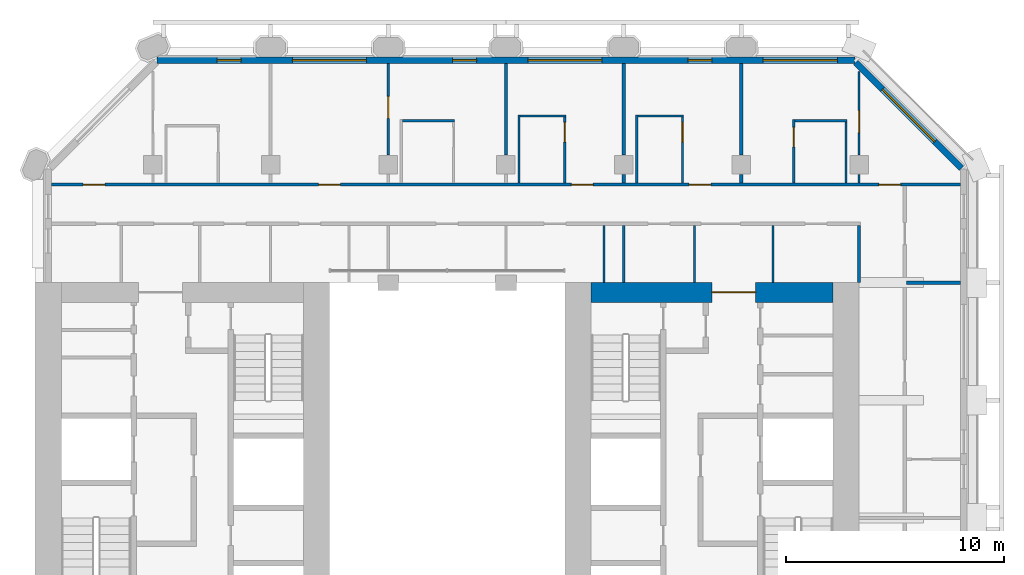
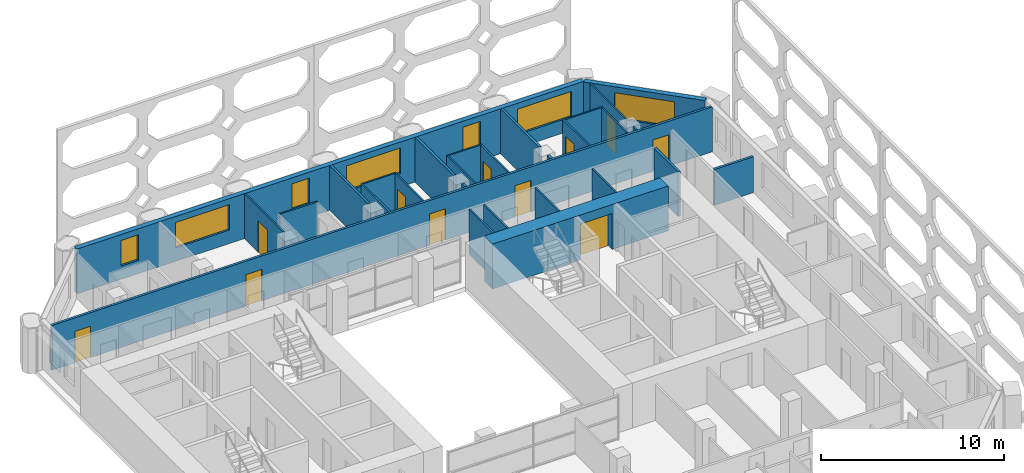
# One storey, part 10 of 14: 28 walls, 11 doors, 7 windows, 18 openings.
"""IFC4 building model written with IfcOpenShell, lengths in metres."""

from ifc_helpers import new_model, si_unit, direction, frame, frame_2d, origin, place, context, subcontext, project, spatial, rectangle, extrude, material, layer, layer_set, type_object, element, fill, save


model = new_model("IFC4")

# Units and contexts
model_context = context("Model", 3, precision=1e-05, world=origin(), true_north=direction((0.0, 1.0)))
body_context = subcontext(model_context, "Body", "Model", "MODEL_VIEW")
ifc_project = project(units=[si_unit("LENGTHUNIT", "METRE"), si_unit("AREAUNIT", "SQUARE_METRE"), si_unit("VOLUMEUNIT", "CUBIC_METRE"), si_unit("PLANEANGLEUNIT", "RADIAN"), si_unit("MASSUNIT", "GRAM", prefix="KILO")], contexts=[model_context])

# Site, building, storey
site_placement = place(None, origin())
site = spatial("IfcSite", under=ifc_project, at=site_placement, CompositionType="ELEMENT")
building_placement = place(site_placement, origin())
building = spatial("IfcBuilding", under=site, at=building_placement, Name="Tabaq Tower and Sports Hall", CompositionType="ELEMENT")
storey_placement = place(building_placement, frame((0.0, 0.0, 166.0)))
storey = spatial("IfcBuildingStorey", under=building, at=storey_placement, Name="L39", CompositionType="ELEMENT", Elevation=166.0)

# Wall, opening, door
ifc_material_1 = material(Name="Concrete C50/60", Category="concrete")
ifc_layer_1 = layer(ifc_material_1, 0.89990234375)
ifc_layer_set_1 = layer_set([ifc_layer_1], Name="Core wall 900 Concrete C50/60")
wall_type_1 = type_object("IfcWallType", Name="Core wall 900 Concrete C50/60", PredefinedType="SOLIDWALL", material=ifc_layer_set_1)
wall_1_placement = place(storey_placement, frame((30.89990234375, 31.949951171875, 0.0), z_axis=(0.0, 0.0, 1.0), x_axis=(1.0, 0.0, 0.0)))
wall_1 = element("IfcWall", 1, at=wall_1_placement, inside=storey, type_object=wall_type_1, Name="Core wall E L39", PredefinedType="SOLIDWALL", context=body_context, shape_type="SweptSolid", body=[
    extrude(rectangle(XDim=11.10009765625, YDim=0.89990234375, at=frame_2d((5.550048828125, 0.0))), origin(), (0.0, 0.0, 1.0), 3.0),
])
opening_1_placement = place(wall_1_placement, frame((5.550048828125, 0.0, 0.0)))
opening_1 = element("IfcOpeningElement", 2, at=opening_1_placement, cuts=wall_1, Name="Opening PD-EL39-02", PredefinedType="OPENING", context=body_context, shape_type="SweptSolid", body=[
    extrude(rectangle(XDim=2.0, YDim=2.39990234375, at=frame_2d((1.0, 1.199951171875))), frame((0.0, 0.449951171875, 0.0), z_axis=(0.0, -1.0, 0.0), x_axis=(1.0, 0.0, 0.0)), (0.0, 0.0, 1.0), 0.89990234375),
])
ifc_material_2 = material(Name="Steel fire door", Category="steel")
door_type_1 = type_object("IfcDoorType", Name="Core entrance door 2000", OperationType="DOUBLE_DOOR_SINGLE_SWING", PredefinedType="DOOR", material=ifc_material_2)
door_1_placement = place(opening_1_placement, origin())
door_1 = element("IfcDoor", 3, at=door_1_placement, inside=storey, type_object=door_type_1, Name="Core entrance north E L39", OperationType="DOUBLE_DOOR_SINGLE_SWING", OverallHeight=2.39990234375, OverallWidth=2.0, PredefinedType="DOOR", context=body_context, shape_type="SweptSolid", body=[
    extrude(rectangle(XDim=2.0, YDim=2.39990234375, at=frame_2d((1.0, 1.199951171875))), frame((0.0, 0.02490234375, 0.0), z_axis=(0.0, -1.0, 0.0), x_axis=(1.0, 0.0, 0.0)), (0.0, 0.0, 1.0), 0.050048828125),
])
fill(opening_1, door_1)

ifc_material_3 = material(Name="Gypsum board on steel studs", Category="steel")
ifc_layer_2 = layer(ifc_material_3, 0.10009765625)
ifc_layer_set_2 = layer_set([ifc_layer_2], Name="Partition 100 Gypsum board")
wall_type_2 = type_object("IfcWallType", Name="Partition 100 Gypsum board", PredefinedType="PARTITIONING", material=ifc_layer_set_2)
wall_2_placement = place(storey_placement, frame((21.60009765625, 42.448974609375, 0.0), z_axis=(0.0, 0.0, 1.0), x_axis=(0.0, -1.0, 0.0)))
wall_2 = element("IfcWall", 4, at=wall_2_placement, inside=storey, type_object=wall_type_2, Name="Partition wall L39", PredefinedType="PARTITIONING", context=body_context, shape_type="SweptSolid", body=[
    extrude(rectangle(XDim=4.203857421875, YDim=0.10009765625, at=frame_2d((2.10205078125, 0.0))), origin(), (0.0, 0.0, 1.0), 3.0),
])
opening_2_placement = place(wall_2_placement, frame((1.507080078125, 0.0, 0.0)))
opening_2 = element("IfcOpeningElement", 5, at=opening_2_placement, cuts=wall_2, Name="Opening L39-030", PredefinedType="OPENING", context=body_context, shape_type="SweptSolid", body=[
    extrude(rectangle(XDim=1.0, YDim=2.10009765625, at=frame_2d((0.5, 1.050048828125))), frame((0.0, 0.050048828125, 0.0), z_axis=(0.0, -1.0, 0.0), x_axis=(1.0, 0.0, 0.0)), (0.0, 0.0, 1.0), 0.10009765625),
])
ifc_material_4 = material(Name="Timber leaf in steel frame", Category="steel")
door_type_2 = type_object("IfcDoorType", Name="Internal door 1000 right hand", OperationType="SINGLE_SWING_RIGHT", PredefinedType="DOOR", material=ifc_material_4)
door_2_placement = place(opening_2_placement, origin())
door_2 = element("IfcDoor", 6, at=door_2_placement, inside=storey, type_object=door_type_2, Name="Internal door L39-030", OperationType="SINGLE_SWING_RIGHT", OverallHeight=2.10009765625, OverallWidth=1.0, PredefinedType="DOOR", context=body_context, shape_type="SweptSolid", body=[
    extrude(rectangle(XDim=1.0, YDim=2.10009765625, at=frame_2d((0.5, 1.050048828125))), frame((0.0, 0.02490234375, 0.0), z_axis=(0.0, -1.0, 0.0), x_axis=(1.0, 0.0, 0.0)), (0.0, 0.0, 1.0), 0.050048828125),
])
fill(opening_2, door_2)

# Walls
wall_3_placement = place(storey_placement, frame((22.25, 39.824951171875, 0.0), z_axis=(0.0, 0.0, 1.0), x_axis=(1.0, 0.0, 0.0)))
element("IfcWall", 7, at=wall_3_placement, inside=storey, type_object=wall_type_2, Name="Partition wall L39", PredefinedType="PARTITIONING", context=body_context, shape_type="SweptSolid", body=[
    extrude(rectangle(XDim=2.39990234375, YDim=0.10009765625, at=frame_2d((1.199951171875, 0.0))), origin(), (0.0, 0.0, 1.0), 3.0),
])
wall_4_placement = place(storey_placement, frame((27.60009765625, 36.97509765625, 0.0), z_axis=(0.0, 0.0, 1.0), x_axis=(0.0, 1.0, 0.0)))
element("IfcWall", 8, at=wall_4_placement, inside=storey, type_object=wall_type_2, Name="Partition wall L39", PredefinedType="PARTITIONING", context=body_context, shape_type="SweptSolid", body=[
    extrude(rectangle(XDim=3.125, YDim=0.10009765625, at=frame_2d((1.5625, 0.0))), origin(), (0.0, 0.0, 1.0), 3.0),
])
wall_5_placement = place(storey_placement, frame((27.64990234375, 40.050048828125, 0.0), z_axis=(0.0, 0.0, 1.0), x_axis=(1.0, 0.0, 0.0)))
element("IfcWall", 9, at=wall_5_placement, inside=storey, type_object=wall_type_2, Name="Partition wall L39", PredefinedType="PARTITIONING", context=body_context, shape_type="SweptSolid", body=[
    extrude(rectangle(XDim=2.10009765625, YDim=0.10009765625, at=frame_2d((1.050048828125, 0.0))), origin(), (0.0, 0.0, 1.0), 3.0),
])

# Wall, opening, door
wall_6_placement = place(storey_placement, frame((29.699951171875, 40.0, 0.0), z_axis=(0.0, 0.0, 1.0), x_axis=(0.0, -1.0, 0.0)))
wall_6 = element("IfcWall", 10, at=wall_6_placement, inside=storey, type_object=wall_type_2, Name="Partition wall L39", PredefinedType="PARTITIONING", context=body_context, shape_type="SweptSolid", body=[
    extrude(rectangle(XDim=3.02490234375, YDim=0.10009765625, at=frame_2d((1.512451171875, 0.0))), origin(), (0.0, 0.0, 1.0), 3.0),
])
opening_3_placement = place(wall_6_placement, frame((0.25, 0.0, 0.0)))
opening_3 = element("IfcOpeningElement", 11, at=opening_3_placement, cuts=wall_6, Name="Opening L39-004", PredefinedType="OPENING", context=body_context, shape_type="SweptSolid", body=[
    extrude(rectangle(XDim=0.89990234375, YDim=2.10009765625, at=frame_2d((0.449951171875, 1.050048828125))), frame((0.0, 0.050048828125, 0.0), z_axis=(0.0, -1.0, 0.0), x_axis=(1.0, 0.0, 0.0)), (0.0, 0.0, 1.0), 0.10009765625),
])
ifc_material_5 = material(Name="Timber leaf in steel frame", Category="steel")
door_type_3 = type_object("IfcDoorType", Name="Internal door 900 left hand", OperationType="SINGLE_SWING_LEFT", PredefinedType="DOOR", material=ifc_material_5)
door_3_placement = place(opening_3_placement, origin())
door_3 = element("IfcDoor", 12, at=door_3_placement, inside=storey, type_object=door_type_3, Name="Internal door L39-004", OperationType="SINGLE_SWING_LEFT", OverallHeight=2.10009765625, OverallWidth=0.89990234375, PredefinedType="DOOR", context=body_context, shape_type="SweptSolid", body=[
    extrude(rectangle(XDim=0.89990234375, YDim=2.10009765625, at=frame_2d((0.449951171875, 1.050048828125))), frame((0.0, 0.02490234375, 0.0), z_axis=(0.0, -1.0, 0.0), x_axis=(1.0, 0.0, 0.0)), (0.0, 0.0, 1.0), 0.050048828125),
])
fill(opening_3, door_3)

# Walls
wall_7_placement = place(storey_placement, frame((33.0, 36.97509765625, 0.0), z_axis=(0.0, 0.0, 1.0), x_axis=(0.0, 1.0, 0.0)))
element("IfcWall", 13, at=wall_7_placement, inside=storey, type_object=wall_type_2, Name="Partition wall L39", PredefinedType="PARTITIONING", context=body_context, shape_type="SweptSolid", body=[
    extrude(rectangle(XDim=3.125, YDim=0.10009765625, at=frame_2d((1.5625, 0.0))), origin(), (0.0, 0.0, 1.0), 3.0),
])
wall_8_placement = place(storey_placement, frame((33.050048828125, 40.050048828125, 0.0), z_axis=(0.0, 0.0, 1.0), x_axis=(1.0, 0.0, 0.0)))
element("IfcWall", 14, at=wall_8_placement, inside=storey, type_object=wall_type_2, Name="Partition wall L39", PredefinedType="PARTITIONING", context=body_context, shape_type="SweptSolid", body=[
    extrude(rectangle(XDim=2.099853515625, YDim=0.10009765625, at=frame_2d((1.0498046875, 0.0))), origin(), (0.0, 0.0, 1.0), 3.0),
])

# Wall, opening, door
wall_9_placement = place(storey_placement, frame((35.10009765625, 40.0, 0.0), z_axis=(0.0, 0.0, 1.0), x_axis=(0.0, -1.0, 0.0)))
wall_9 = element("IfcWall", 15, at=wall_9_placement, inside=storey, type_object=wall_type_2, Name="Partition wall L39", PredefinedType="PARTITIONING", context=body_context, shape_type="SweptSolid", body=[
    extrude(rectangle(XDim=3.02490234375, YDim=0.10009765625, at=frame_2d((1.512451171875, 0.0))), origin(), (0.0, 0.0, 1.0), 3.0),
])
opening_4_placement = place(wall_9_placement, frame((0.25, 0.0, 0.0)))
opening_4 = element("IfcOpeningElement", 16, at=opening_4_placement, cuts=wall_9, Name="Opening L39-005", PredefinedType="OPENING", context=body_context, shape_type="SweptSolid", body=[
    extrude(rectangle(XDim=0.89990234375, YDim=2.10009765625, at=frame_2d((0.449951171875, 1.050048828125))), frame((0.0, 0.050048828125, 0.0), z_axis=(0.0, -1.0, 0.0), x_axis=(1.0, 0.0, 0.0)), (0.0, 0.0, 1.0), 0.10009765625),
])
door_4_placement = place(opening_4_placement, origin())
door_4 = element("IfcDoor", 17, at=door_4_placement, inside=storey, type_object=door_type_3, Name="Internal door L39-005", OperationType="SINGLE_SWING_LEFT", OverallHeight=2.10009765625, OverallWidth=0.89990234375, PredefinedType="DOOR", context=body_context, shape_type="SweptSolid", body=[
    extrude(rectangle(XDim=0.89990234375, YDim=2.10009765625, at=frame_2d((0.449951171875, 1.050048828125))), frame((0.0, 0.02490234375, 0.0), z_axis=(0.0, -1.0, 0.0), x_axis=(1.0, 0.0, 0.0)), (0.0, 0.0, 1.0), 0.050048828125),
])
fill(opening_4, door_4)

wall_10_placement = place(storey_placement, frame((40.199951171875, 36.97509765625, 0.0), z_axis=(0.0, 0.0, 1.0), x_axis=(0.0, 1.0, 0.0)))
wall_10 = element("IfcWall", 18, at=wall_10_placement, inside=storey, type_object=wall_type_2, Name="Partition wall L39", PredefinedType="PARTITIONING", context=body_context, shape_type="SweptSolid", body=[
    extrude(rectangle(XDim=2.89990234375, YDim=0.10009765625, at=frame_2d((1.449951171875, 0.0))), origin(), (0.0, 0.0, 1.0), 3.0),
])
opening_5_placement = place(wall_10_placement, frame((1.64990234375, 0.0, 0.0)))
opening_5 = element("IfcOpeningElement", 19, at=opening_5_placement, cuts=wall_10, Name="Opening L39-006", PredefinedType="OPENING", context=body_context, shape_type="SweptSolid", body=[
    extrude(rectangle(XDim=0.89990234375, YDim=2.10009765625, at=frame_2d((0.449951171875, 1.050048828125))), frame((0.0, 0.050048828125, 0.0), z_axis=(0.0, -1.0, 0.0), x_axis=(1.0, 0.0, 0.0)), (0.0, 0.0, 1.0), 0.10009765625),
])
ifc_material_6 = material(Name="Timber leaf in steel frame", Category="steel")
door_type_4 = type_object("IfcDoorType", Name="Internal door 900 right hand", OperationType="SINGLE_SWING_RIGHT", PredefinedType="DOOR", material=ifc_material_6)
door_5_placement = place(opening_5_placement, origin())
door_5 = element("IfcDoor", 20, at=door_5_placement, inside=storey, type_object=door_type_4, Name="Internal door L39-006", OperationType="SINGLE_SWING_RIGHT", OverallHeight=2.10009765625, OverallWidth=0.89990234375, PredefinedType="DOOR", context=body_context, shape_type="SweptSolid", body=[
    extrude(rectangle(XDim=0.89990234375, YDim=2.10009765625, at=frame_2d((0.449951171875, 1.050048828125))), frame((0.0, 0.02490234375, 0.0), z_axis=(0.0, -1.0, 0.0), x_axis=(1.0, 0.0, 0.0)), (0.0, 0.0, 1.0), 0.050048828125),
])
fill(opening_5, door_5)

# Walls
wall_11_placement = place(storey_placement, frame((40.25, 39.824951171875, 0.0), z_axis=(0.0, 0.0, 1.0), x_axis=(1.0, 0.0, 0.0)))
element("IfcWall", 21, at=wall_11_placement, inside=storey, type_object=wall_type_2, Name="Partition wall L39", PredefinedType="PARTITIONING", context=body_context, shape_type="SweptSolid", body=[
    extrude(rectangle(XDim=2.39990234375, YDim=0.10009765625, at=frame_2d((1.199951171875, 0.0))), origin(), (0.0, 0.0, 1.0), 3.0),
])
wall_12_placement = place(storey_placement, frame((42.60009765625, 39.77490234375, 0.0), z_axis=(0.0, 0.0, 1.0), x_axis=(0.0, -1.0, 0.0)))
element("IfcWall", 22, at=wall_12_placement, inside=storey, type_object=wall_type_2, Name="Partition wall L39", PredefinedType="PARTITIONING", context=body_context, shape_type="SweptSolid", body=[
    extrude(rectangle(XDim=2.7998046875, YDim=0.10009765625, at=frame_2d((1.39990234375, 0.0))), origin(), (0.0, 0.0, 1.0), 3.0),
])
wall_13_placement = place(storey_placement, frame((43.199951171875, 36.97509765625, 0.0), z_axis=(0.0, 0.0, 1.0), x_axis=(0.0, 1.0, 0.0)))
element("IfcWall", 23, at=wall_13_placement, inside=storey, type_object=wall_type_2, Name="Partition wall L39", PredefinedType="PARTITIONING", context=body_context, shape_type="SweptSolid", body=[
    extrude(rectangle(XDim=0.3798828125, YDim=0.10009765625, at=frame_2d((0.18994140625, 0.0))), origin(), (0.0, 0.0, 1.0), 3.0),
])

# Wall, opening, door
wall_14_placement = place(storey_placement, frame((43.199951171875, 38.2451171875, 0.0), z_axis=(0.0, 0.0, 1.0), x_axis=(0.0, 1.0, 0.0)))
wall_14 = element("IfcWall", 24, at=wall_14_placement, inside=storey, type_object=wall_type_2, Name="Partition wall L39", PredefinedType="PARTITIONING", context=body_context, shape_type="SweptSolid", body=[
    extrude(rectangle(XDim=3.8427734375, YDim=0.10009765625, at=frame_2d((1.92138671875, 0.0))), origin(), (0.0, 0.0, 1.0), 3.0),
])
opening_6_placement = place(wall_14_placement, frame((1.04248046875, 0.0, 0.0)))
opening_6 = element("IfcOpeningElement", 25, at=opening_6_placement, cuts=wall_14, Name="Opening L39-034", PredefinedType="OPENING", context=body_context, shape_type="SweptSolid", body=[
    extrude(rectangle(XDim=1.0, YDim=2.10009765625, at=frame_2d((0.5, 1.050048828125))), frame((0.0, 0.050048828125, 0.0), z_axis=(0.0, -1.0, 0.0), x_axis=(1.0, 0.0, 0.0)), (0.0, 0.0, 1.0), 0.10009765625),
])
door_6_placement = place(opening_6_placement, origin())
door_6 = element("IfcDoor", 26, at=door_6_placement, inside=storey, type_object=door_type_2, Name="Internal door L39-034", OperationType="SINGLE_SWING_RIGHT", OverallHeight=2.10009765625, OverallWidth=1.0, PredefinedType="DOOR", context=body_context, shape_type="SweptSolid", body=[
    extrude(rectangle(XDim=1.0, YDim=2.10009765625, at=frame_2d((0.5, 1.050048828125))), frame((0.0, 0.02490234375, 0.0), z_axis=(0.0, -1.0, 0.0), x_axis=(1.0, 0.0, 0.0)), (0.0, 0.0, 1.0), 0.050048828125),
])
fill(opening_6, door_6)

# Walls
for number, where, z_axis, x_axis, name in (
    (27, (31.5, 32.39990234375, 0.0), (0.0, 0.0, 1.0), (0.0, 1.0, 0.0), "Partition wall L39"),
    (28, (35.64990234375, 35.02490234375, 0.0), (0.0, 0.0, 1.0), (0.0, -1.0, 0.0), "Partition wall L39"),
    (29, (39.25, 32.39990234375, 0.0), (0.0, 0.0, 1.0), (0.0, 1.0, 0.0), "Partition wall L39"),
    (30, (32.39990234375, 35.02490234375, 0.0), (0.0, 0.0, 1.0), (0.0, -1.0, 0.0), "Partition wall L39"),
):
    element("IfcWall", number, at=place(storey_placement, frame(where, z_axis=z_axis, x_axis=x_axis)), inside=storey, type_object=wall_type_2, Name=name, PredefinedType="PARTITIONING", context=body_context, shape_type="SweptSolid", body=[
        extrude(rectangle(XDim=2.625, YDim=0.10009765625, at=frame_2d((1.3125, 0.0))), origin(), (0.0, 0.0, 1.0), 3.0),
    ])
ifc_material_7 = material(Name="Blockwork", Category="masonry")
ifc_layer_3 = layer(ifc_material_7, 0.14990234375)
ifc_layer_set_3 = layer_set([ifc_layer_3], Name="Separating wall 150 Blockwork")
wall_type_3 = type_object("IfcWallType", Name="Separating wall 150 Blockwork", PredefinedType="PARTITIONING", material=ifc_layer_set_3)
wall_15_placement = place(storey_placement, frame((45.375, 32.39990234375, 0.0), z_axis=(0.0, 0.0, 1.0), x_axis=(1.0, 0.0, 0.0)))
element("IfcWall", 31, at=wall_15_placement, inside=storey, type_object=wall_type_3, Name="Separating wall L39", PredefinedType="PARTITIONING", context=body_context, shape_type="SweptSolid", body=[
    extrude(rectangle(XDim=2.47412109375, YDim=0.14990234375, at=frame_2d((1.237060546875, 0.0))), origin(), (0.0, 0.0, 1.0), 2.39990234375),
])
wall_16_placement = place(storey_placement, frame((27.0, 38.2451171875, 0.0), z_axis=(0.0, 0.0, 1.0), x_axis=(0.0, 1.0, 0.0)))
element("IfcWall", 32, at=wall_16_placement, inside=storey, type_object=wall_type_3, Name="Separating wall L39", PredefinedType="PARTITIONING", context=body_context, shape_type="SweptSolid", body=[
    extrude(rectangle(XDim=4.203857421875, YDim=0.14990234375, at=frame_2d((2.10205078125, 0.0))), origin(), (0.0, 0.0, 1.0), 3.0),
])
wall_17_placement = place(storey_placement, frame((32.39990234375, 36.97509765625, 0.0), z_axis=(0.0, 0.0, 1.0), x_axis=(0.0, 1.0, 0.0)))
element("IfcWall", 33, at=wall_17_placement, inside=storey, type_object=wall_type_3, Name="Separating wall L39", PredefinedType="PARTITIONING", context=body_context, shape_type="SweptSolid", body=[
    extrude(rectangle(XDim=0.3798828125, YDim=0.14990234375, at=frame_2d((0.18994140625, 0.0))), origin(), (0.0, 0.0, 1.0), 3.0),
])
wall_18_placement = place(storey_placement, frame((32.39990234375, 38.2451171875, 0.0), z_axis=(0.0, 0.0, 1.0), x_axis=(0.0, 1.0, 0.0)))
element("IfcWall", 34, at=wall_18_placement, inside=storey, type_object=wall_type_3, Name="Separating wall L39", PredefinedType="PARTITIONING", context=body_context, shape_type="SweptSolid", body=[
    extrude(rectangle(XDim=4.203857421875, YDim=0.14990234375, at=frame_2d((2.10205078125, 0.0))), origin(), (0.0, 0.0, 1.0), 3.0),
])
wall_19_placement = place(storey_placement, frame((37.800048828125, 36.97509765625, 0.0), z_axis=(0.0, 0.0, 1.0), x_axis=(0.0, 1.0, 0.0)))
element("IfcWall", 35, at=wall_19_placement, inside=storey, type_object=wall_type_3, Name="Separating wall L39", PredefinedType="PARTITIONING", context=body_context, shape_type="SweptSolid", body=[
    extrude(rectangle(XDim=0.3798828125, YDim=0.14990234375, at=frame_2d((0.18994140625, 0.0))), origin(), (0.0, 0.0, 1.0), 3.0),
])
wall_20_placement = place(storey_placement, frame((37.800048828125, 38.2451171875, 0.0), z_axis=(0.0, 0.0, 1.0), x_axis=(0.0, 1.0, 0.0)))
element("IfcWall", 36, at=wall_20_placement, inside=storey, type_object=wall_type_3, Name="Separating wall L39", PredefinedType="PARTITIONING", context=body_context, shape_type="SweptSolid", body=[
    extrude(rectangle(XDim=4.203857421875, YDim=0.14990234375, at=frame_2d((2.10205078125, 0.0))), origin(), (0.0, 0.0, 1.0), 3.0),
])

# Wall, openings, doors
wall_21_placement = place(storey_placement, frame((47.84912109375, 36.89990234375, 0.0), z_axis=(0.0, 0.0, 1.0), x_axis=(-1.0, 0.0, 0.0)))
wall_21 = element("IfcWall", 37, at=wall_21_placement, inside=storey, type_object=wall_type_3, Name="Separating wall L39", PredefinedType="PARTITIONING", context=body_context, shape_type="SweptSolid", body=[
    extrude(rectangle(XDim=41.6982421875, YDim=0.14990234375, at=frame_2d((20.84912109375, 0.0))), origin(), (0.0, 0.0, 1.0), 3.0),
])
opening_7_placement = place(wall_21_placement, frame((39.2490234375, 0.0, 0.0)))
opening_7 = element("IfcOpeningElement", 38, at=opening_7_placement, cuts=wall_21, Name="Opening L39-029", PredefinedType="OPENING", context=body_context, shape_type="SweptSolid", body=[
    extrude(rectangle(XDim=1.0, YDim=2.10009765625, at=frame_2d((0.5, 1.050048828125))), frame((0.0, 0.074951171875, 0.0), z_axis=(0.0, -1.0, 0.0), x_axis=(1.0, 0.0, 0.0)), (0.0, 0.0, 1.0), 0.14990234375),
])
opening_8_placement = place(wall_21_placement, frame((28.448974609375, 0.0, 0.0)))
opening_8 = element("IfcOpeningElement", 39, at=opening_8_placement, cuts=wall_21, Name="Opening L39-031", PredefinedType="OPENING", context=body_context, shape_type="SweptSolid", body=[
    extrude(rectangle(XDim=1.0, YDim=2.10009765625, at=frame_2d((0.5, 1.050048828125))), frame((0.0, 0.074951171875, 0.0), z_axis=(0.0, -1.0, 0.0), x_axis=(1.0, 0.0, 0.0)), (0.0, 0.0, 1.0), 0.14990234375),
])
opening_9_placement = place(wall_21_placement, frame((16.84912109375, 0.0, 0.0)))
opening_9 = element("IfcOpeningElement", 40, at=opening_9_placement, cuts=wall_21, Name="Opening L39-032", PredefinedType="OPENING", context=body_context, shape_type="SweptSolid", body=[
    extrude(rectangle(XDim=1.0, YDim=2.10009765625, at=frame_2d((0.5, 1.050048828125))), frame((0.0, 0.074951171875, 0.0), z_axis=(0.0, -1.0, 0.0), x_axis=(1.0, 0.0, 0.0)), (0.0, 0.0, 1.0), 0.14990234375),
])
opening_10_placement = place(wall_21_placement, frame((11.448974609375, 0.0, 0.0)))
opening_10 = element("IfcOpeningElement", 41, at=opening_10_placement, cuts=wall_21, Name="Opening L39-033", PredefinedType="OPENING", context=body_context, shape_type="SweptSolid", body=[
    extrude(rectangle(XDim=1.0, YDim=2.10009765625, at=frame_2d((0.5, 1.050048828125))), frame((0.0, 0.074951171875, 0.0), z_axis=(0.0, -1.0, 0.0), x_axis=(1.0, 0.0, 0.0)), (0.0, 0.0, 1.0), 0.14990234375),
])
opening_11_placement = place(wall_21_placement, frame((2.743896484375, 0.0, 0.0)))
opening_11 = element("IfcOpeningElement", 42, at=opening_11_placement, cuts=wall_21, Name="Opening L39-035", PredefinedType="OPENING", context=body_context, shape_type="SweptSolid", body=[
    extrude(rectangle(XDim=1.0, YDim=2.10009765625, at=frame_2d((0.5, 1.050048828125))), frame((0.0, 0.074951171875, 0.0), z_axis=(0.0, -1.0, 0.0), x_axis=(1.0, 0.0, 0.0)), (0.0, 0.0, 1.0), 0.14990234375),
])
ifc_material_8 = material(Name="Steel fire door", Category="steel")
door_type_5 = type_object("IfcDoorType", Name="Entrance door 1000 left hand", OperationType="SINGLE_SWING_LEFT", PredefinedType="DOOR", material=ifc_material_8)
door_7_placement = place(opening_7_placement, origin())
door_7 = element("IfcDoor", 43, at=door_7_placement, inside=storey, type_object=door_type_5, Name="Entrance door L39-029", OperationType="SINGLE_SWING_LEFT", OverallHeight=2.10009765625, OverallWidth=1.0, PredefinedType="DOOR", context=body_context, shape_type="SweptSolid", body=[
    extrude(rectangle(XDim=1.0, YDim=2.10009765625, at=frame_2d((0.5, 1.050048828125))), frame((0.0, 0.02490234375, 0.0), z_axis=(0.0, -1.0, 0.0), x_axis=(1.0, 0.0, 0.0)), (0.0, 0.0, 1.0), 0.050048828125),
])
fill(opening_7, door_7)
door_8_placement = place(opening_9_placement, origin())
door_8 = element("IfcDoor", 44, at=door_8_placement, inside=storey, type_object=door_type_5, Name="Entrance door L39-032", OperationType="SINGLE_SWING_LEFT", OverallHeight=2.10009765625, OverallWidth=1.0, PredefinedType="DOOR", context=body_context, shape_type="SweptSolid", body=[
    extrude(rectangle(XDim=1.0, YDim=2.10009765625, at=frame_2d((0.5, 1.050048828125))), frame((0.0, 0.02490234375, 0.0), z_axis=(0.0, -1.0, 0.0), x_axis=(1.0, 0.0, 0.0)), (0.0, 0.0, 1.0), 0.050048828125),
])
fill(opening_9, door_8)
door_9_placement = place(opening_11_placement, origin())
door_9 = element("IfcDoor", 45, at=door_9_placement, inside=storey, type_object=door_type_5, Name="Entrance door L39-035", OperationType="SINGLE_SWING_LEFT", OverallHeight=2.10009765625, OverallWidth=1.0, PredefinedType="DOOR", context=body_context, shape_type="SweptSolid", body=[
    extrude(rectangle(XDim=1.0, YDim=2.10009765625, at=frame_2d((0.5, 1.050048828125))), frame((0.0, 0.02490234375, 0.0), z_axis=(0.0, -1.0, 0.0), x_axis=(1.0, 0.0, 0.0)), (0.0, 0.0, 1.0), 0.050048828125),
])
fill(opening_11, door_9)
ifc_material_9 = material(Name="Steel fire door", Category="steel")
door_type_6 = type_object("IfcDoorType", Name="Entrance door 1000 right hand", OperationType="SINGLE_SWING_RIGHT", PredefinedType="DOOR", material=ifc_material_9)
door_10_placement = place(opening_8_placement, origin())
door_10 = element("IfcDoor", 46, at=door_10_placement, inside=storey, type_object=door_type_6, Name="Entrance door L39-031", OperationType="SINGLE_SWING_RIGHT", OverallHeight=2.10009765625, OverallWidth=1.0, PredefinedType="DOOR", context=body_context, shape_type="SweptSolid", body=[
    extrude(rectangle(XDim=1.0, YDim=2.10009765625, at=frame_2d((0.5, 1.050048828125))), frame((0.0, 0.02490234375, 0.0), z_axis=(0.0, -1.0, 0.0), x_axis=(1.0, 0.0, 0.0)), (0.0, 0.0, 1.0), 0.050048828125),
])
fill(opening_8, door_10)
door_11_placement = place(opening_10_placement, origin())
door_11 = element("IfcDoor", 47, at=door_11_placement, inside=storey, type_object=door_type_6, Name="Entrance door L39-033", OperationType="SINGLE_SWING_RIGHT", OverallHeight=2.10009765625, OverallWidth=1.0, PredefinedType="DOOR", context=body_context, shape_type="SweptSolid", body=[
    extrude(rectangle(XDim=1.0, YDim=2.10009765625, at=frame_2d((0.5, 1.050048828125))), frame((0.0, 0.02490234375, 0.0), z_axis=(0.0, -1.0, 0.0), x_axis=(1.0, 0.0, 0.0)), (0.0, 0.0, 1.0), 0.050048828125),
])
fill(opening_10, door_11)

# Wall
wall_22_placement = place(storey_placement, frame((43.199951171875, 35.02490234375, 0.0), z_axis=(0.0, 0.0, 1.0), x_axis=(0.0, -1.0, 0.0)))
element("IfcWall", 48, at=wall_22_placement, inside=storey, type_object=wall_type_3, Name="Separating wall L39", PredefinedType="PARTITIONING", context=body_context, shape_type="SweptSolid", body=[
    extrude(rectangle(XDim=2.625, YDim=0.14990234375, at=frame_2d((1.3125, 0.0))), origin(), (0.0, 0.0, 1.0), 3.0),
])

# Wall, opening, window
ifc_material_10 = material(Name="White precast concrete C60/75", Category="concrete")
ifc_layer_4 = layer(ifc_material_10, 0.300048828125)
ifc_layer_set_4 = layer_set([ifc_layer_4], Name="White precast concrete C60/75 external wall 300")
wall_type_4 = type_object("IfcWallType", Name="White precast concrete C60/75 external wall 300", PredefinedType="SOLIDWALL", material=ifc_layer_set_4)
wall_23_placement = place(storey_placement, frame((47.901123046875, 37.650390625, 0.0), z_axis=(0.0, 0.0, 1.0), x_axis=(-0.707106781187, 0.707106781187, 0.0)))
wall_23 = element("IfcWall", 49, at=wall_23_placement, inside=storey, type_object=wall_type_4, Name="External Wall L39 NE", PredefinedType="SOLIDWALL", context=body_context, shape_type="SweptSolid", body=[
    extrude(rectangle(XDim=6.85986328125, YDim=0.300048828125, at=frame_2d((3.429931640625, 0.0))), origin(), (0.0, 0.0, 1.0), 3.0),
])
opening_12_placement = place(wall_23_placement, frame((1.729736328125, 0.0, 0.89990234375)))
opening_12 = element("IfcOpeningElement", 50, at=opening_12_placement, cuts=wall_23, Name="Opening W1A", PredefinedType="OPENING", context=body_context, shape_type="SweptSolid", body=[
    extrude(rectangle(XDim=3.39990234375, YDim=1.699951171875, at=frame_2d((1.699951171875, 0.85009765625))), frame((0.0, 0.16015625, 0.0), z_axis=(0.0, -1.0, 0.0), x_axis=(1.0, 0.0, 0.0)), (0.0, 0.0, 1.0), 0.320068359375),
])
ifc_material_11 = material(Name="Aluminium framed clear glazing", Category="aluminium")
window_type_1 = type_object("IfcWindowType", Name="Window W1A", PartitioningType="SINGLE_PANEL", PredefinedType="WINDOW", material=ifc_material_11)
window_1_placement = place(opening_12_placement, origin())
window_1 = element("IfcWindow", 51, at=window_1_placement, inside=storey, type_object=window_type_1, Name="Window W1A L39", OverallHeight=1.699951171875, OverallWidth=3.39990234375, PartitioningType="SINGLE_PANEL", PredefinedType="WINDOW", context=body_context, shape_type="SweptSolid", body=[
    extrude(rectangle(XDim=3.39990234375, YDim=1.699951171875, at=frame_2d((1.699951171875, 0.85009765625))), frame((0.0, 0.030029296875, 0.0), z_axis=(0.0, -1.0, 0.0), x_axis=(1.0, 0.0, 0.0)), (0.0, 0.0, 1.0), 0.06005859375),
])
fill(opening_12, window_1)

# Wall, openings, windows
wall_24_placement = place(storey_placement, frame((43.013671875, 42.60009765625, 0.0), z_axis=(0.0, 0.0, 1.0), x_axis=(-1.0, 0.0, 0.0)))
wall_24 = element("IfcWall", 52, at=wall_24_placement, inside=storey, type_object=wall_type_4, Name="External Wall L39 N", PredefinedType="SOLIDWALL", context=body_context, shape_type="SweptSolid", body=[
    extrude(rectangle(XDim=32.02734375, YDim=0.300048828125, at=frame_2d((16.013671875, 0.0))), origin(), (0.0, 0.0, 1.0), 3.0),
])
opening_13_placement = place(wall_24_placement, frame((0.813720703125, 0.0, 0.89990234375)))
opening_13 = element("IfcOpeningElement", 53, at=opening_13_placement, cuts=wall_24, Name="Opening W1A", PredefinedType="OPENING", context=body_context, shape_type="SweptSolid", body=[
    extrude(rectangle(XDim=3.39990234375, YDim=1.699951171875, at=frame_2d((1.699951171875, 0.85009765625))), frame((0.0, 0.16015625, 0.0), z_axis=(0.0, -1.0, 0.0), x_axis=(1.0, 0.0, 0.0)), (0.0, 0.0, 1.0), 0.320068359375),
])
opening_14_placement = place(wall_24_placement, frame((6.563720703125, 0.0, 0.89990234375)))
opening_14 = element("IfcOpeningElement", 54, at=opening_14_placement, cuts=wall_24, Name="Opening W1B", PredefinedType="OPENING", context=body_context, shape_type="SweptSolid", body=[
    extrude(rectangle(XDim=1.10009765625, YDim=1.699951171875, at=frame_2d((0.550048828125, 0.85009765625))), frame((0.0, 0.16015625, 0.0), z_axis=(0.0, -1.0, 0.0), x_axis=(1.0, 0.0, 0.0)), (0.0, 0.0, 1.0), 0.320068359375),
])
opening_15_placement = place(wall_24_placement, frame((11.613525390625, 0.0, 0.89990234375)))
opening_15 = element("IfcOpeningElement", 55, at=opening_15_placement, cuts=wall_24, Name="Opening W1A", PredefinedType="OPENING", context=body_context, shape_type="SweptSolid", body=[
    extrude(rectangle(XDim=3.39990234375, YDim=1.699951171875, at=frame_2d((1.699951171875, 0.85009765625))), frame((0.0, 0.16015625, 0.0), z_axis=(0.0, -1.0, 0.0), x_axis=(1.0, 0.0, 0.0)), (0.0, 0.0, 1.0), 0.320068359375),
])
opening_16_placement = place(wall_24_placement, frame((17.363525390625, 0.0, 0.89990234375)))
opening_16 = element("IfcOpeningElement", 56, at=opening_16_placement, cuts=wall_24, Name="Opening W1B", PredefinedType="OPENING", context=body_context, shape_type="SweptSolid", body=[
    extrude(rectangle(XDim=1.10009765625, YDim=1.699951171875, at=frame_2d((0.550048828125, 0.85009765625))), frame((0.0, 0.16015625, 0.0), z_axis=(0.0, -1.0, 0.0), x_axis=(1.0, 0.0, 0.0)), (0.0, 0.0, 1.0), 0.320068359375),
])
opening_17_placement = place(wall_24_placement, frame((22.41357421875, 0.0, 0.89990234375)))
opening_17 = element("IfcOpeningElement", 57, at=opening_17_placement, cuts=wall_24, Name="Opening W1A", PredefinedType="OPENING", context=body_context, shape_type="SweptSolid", body=[
    extrude(rectangle(XDim=3.39990234375, YDim=1.699951171875, at=frame_2d((1.699951171875, 0.85009765625))), frame((0.0, 0.16015625, 0.0), z_axis=(0.0, -1.0, 0.0), x_axis=(1.0, 0.0, 0.0)), (0.0, 0.0, 1.0), 0.320068359375),
])
opening_18_placement = place(wall_24_placement, frame((28.16357421875, 0.0, 0.89990234375)))
opening_18 = element("IfcOpeningElement", 58, at=opening_18_placement, cuts=wall_24, Name="Opening W1B", PredefinedType="OPENING", context=body_context, shape_type="SweptSolid", body=[
    extrude(rectangle(XDim=1.10009765625, YDim=1.699951171875, at=frame_2d((0.550048828125, 0.85009765625))), frame((0.0, 0.16015625, 0.0), z_axis=(0.0, -1.0, 0.0), x_axis=(1.0, 0.0, 0.0)), (0.0, 0.0, 1.0), 0.320068359375),
])
window_2_placement = place(opening_13_placement, origin())
window_2 = element("IfcWindow", 59, at=window_2_placement, inside=storey, type_object=window_type_1, Name="Window W1A L39", OverallHeight=1.699951171875, OverallWidth=3.39990234375, PartitioningType="SINGLE_PANEL", PredefinedType="WINDOW", context=body_context, shape_type="SweptSolid", body=[
    extrude(rectangle(XDim=3.39990234375, YDim=1.699951171875, at=frame_2d((1.699951171875, 0.85009765625))), frame((0.0, 0.030029296875, 0.0), z_axis=(0.0, -1.0, 0.0), x_axis=(1.0, 0.0, 0.0)), (0.0, 0.0, 1.0), 0.06005859375),
])
fill(opening_13, window_2)
window_3_placement = place(opening_15_placement, origin())
window_3 = element("IfcWindow", 60, at=window_3_placement, inside=storey, type_object=window_type_1, Name="Window W1A L39", OverallHeight=1.699951171875, OverallWidth=3.39990234375, PartitioningType="SINGLE_PANEL", PredefinedType="WINDOW", context=body_context, shape_type="SweptSolid", body=[
    extrude(rectangle(XDim=3.39990234375, YDim=1.699951171875, at=frame_2d((1.699951171875, 0.85009765625))), frame((0.0, 0.030029296875, 0.0), z_axis=(0.0, -1.0, 0.0), x_axis=(1.0, 0.0, 0.0)), (0.0, 0.0, 1.0), 0.06005859375),
])
fill(opening_15, window_3)
window_4_placement = place(opening_17_placement, origin())
window_4 = element("IfcWindow", 61, at=window_4_placement, inside=storey, type_object=window_type_1, Name="Window W1A L39", OverallHeight=1.699951171875, OverallWidth=3.39990234375, PartitioningType="SINGLE_PANEL", PredefinedType="WINDOW", context=body_context, shape_type="SweptSolid", body=[
    extrude(rectangle(XDim=3.39990234375, YDim=1.699951171875, at=frame_2d((1.699951171875, 0.85009765625))), frame((0.0, 0.030029296875, 0.0), z_axis=(0.0, -1.0, 0.0), x_axis=(1.0, 0.0, 0.0)), (0.0, 0.0, 1.0), 0.06005859375),
])
fill(opening_17, window_4)
ifc_material_12 = material(Name="Aluminium framed clear glazing", Category="aluminium")
window_type_2 = type_object("IfcWindowType", Name="Window W1B", PartitioningType="SINGLE_PANEL", PredefinedType="WINDOW", material=ifc_material_12)
window_5_placement = place(opening_14_placement, origin())
window_5 = element("IfcWindow", 62, at=window_5_placement, inside=storey, type_object=window_type_2, Name="Window W1B L39", OverallHeight=1.699951171875, OverallWidth=1.10009765625, PartitioningType="SINGLE_PANEL", PredefinedType="WINDOW", context=body_context, shape_type="SweptSolid", body=[
    extrude(rectangle(XDim=1.10009765625, YDim=1.699951171875, at=frame_2d((0.550048828125, 0.85009765625))), frame((0.0, 0.030029296875, 0.0), z_axis=(0.0, -1.0, 0.0), x_axis=(1.0, 0.0, 0.0)), (0.0, 0.0, 1.0), 0.06005859375),
])
fill(opening_14, window_5)
window_6_placement = place(opening_16_placement, origin())
window_6 = element("IfcWindow", 63, at=window_6_placement, inside=storey, type_object=window_type_2, Name="Window W1B L39", OverallHeight=1.699951171875, OverallWidth=1.10009765625, PartitioningType="SINGLE_PANEL", PredefinedType="WINDOW", context=body_context, shape_type="SweptSolid", body=[
    extrude(rectangle(XDim=1.10009765625, YDim=1.699951171875, at=frame_2d((0.550048828125, 0.85009765625))), frame((0.0, 0.030029296875, 0.0), z_axis=(0.0, -1.0, 0.0), x_axis=(1.0, 0.0, 0.0)), (0.0, 0.0, 1.0), 0.06005859375),
])
fill(opening_16, window_6)
window_7_placement = place(opening_18_placement, origin())
window_7 = element("IfcWindow", 64, at=window_7_placement, inside=storey, type_object=window_type_2, Name="Window W1B L39", OverallHeight=1.699951171875, OverallWidth=1.10009765625, PartitioningType="SINGLE_PANEL", PredefinedType="WINDOW", context=body_context, shape_type="SweptSolid", body=[
    extrude(rectangle(XDim=1.10009765625, YDim=1.699951171875, at=frame_2d((0.550048828125, 0.85009765625))), frame((0.0, 0.030029296875, 0.0), z_axis=(0.0, -1.0, 0.0), x_axis=(1.0, 0.0, 0.0)), (0.0, 0.0, 1.0), 0.06005859375),
])
fill(opening_18, window_7)

save(model, "model.ifc")
